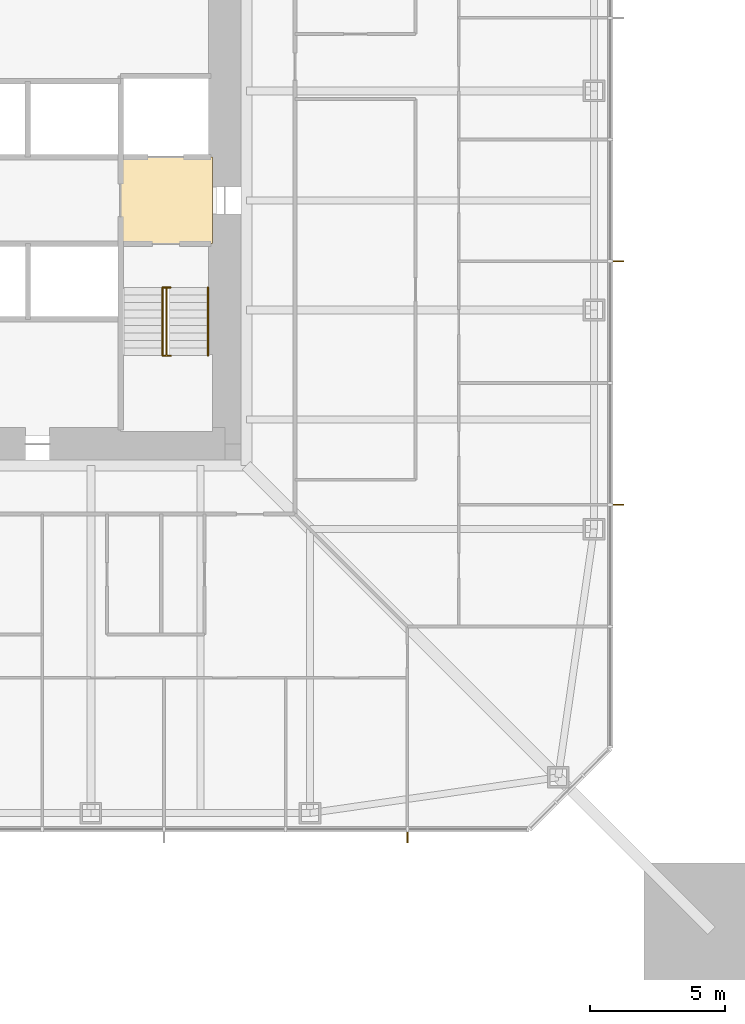
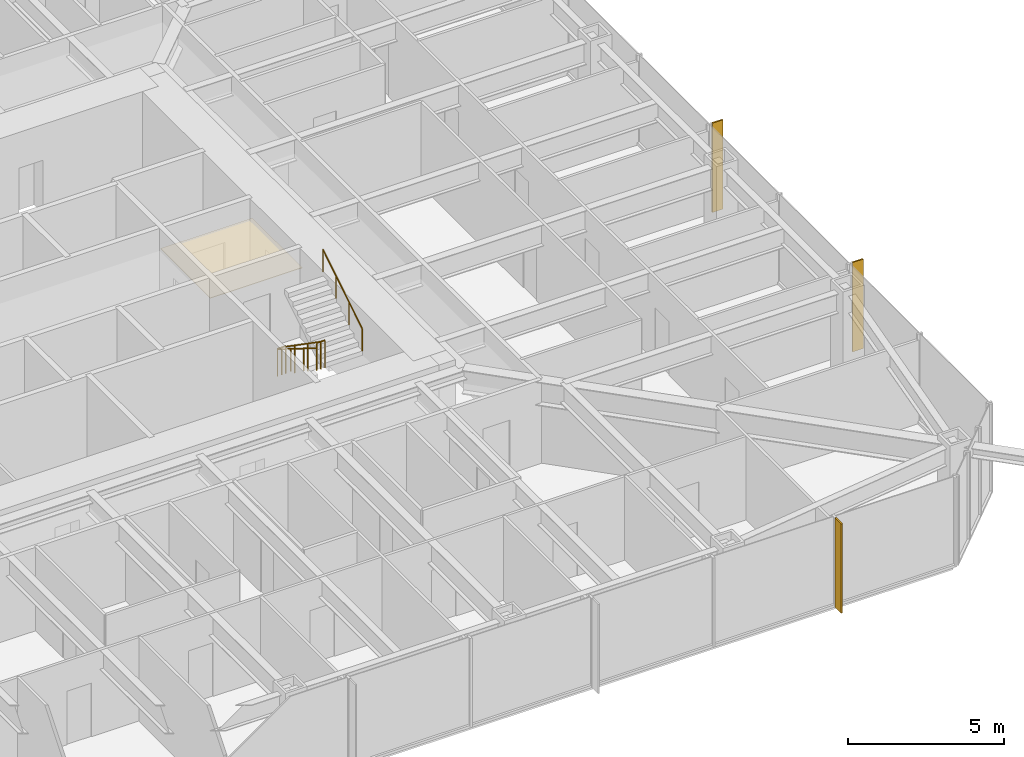
# One storey, part 24 of 26: 3 railings, 3 shading devices, 1 covering.
"""IFC4 building model written with IfcOpenShell, lengths in metres."""

from ifc_helpers import new_model, si_unit, direction, frame, origin, origin_2d, place, context, subcontext, project, spatial, polyline, rectangle, circle, outline, extrude, material, layer, layer_set, constituent, constituent_set, type_object, element, save


model = new_model("IFC4")

# Units and contexts
model_context = context("Model", 3, precision=1e-05, world=origin(), true_north=direction((0.0, 1.0)))
body_context = subcontext(model_context, "Body", "Model", "MODEL_VIEW")
ifc_project = project(units=[si_unit("LENGTHUNIT", "METRE"), si_unit("AREAUNIT", "SQUARE_METRE"), si_unit("VOLUMEUNIT", "CUBIC_METRE"), si_unit("PLANEANGLEUNIT", "RADIAN"), si_unit("MASSUNIT", "GRAM", prefix="KILO")], contexts=[model_context])

# Site, building, storey
site_placement = place(None, origin())
site = spatial("IfcSite", under=ifc_project, at=site_placement, CompositionType="ELEMENT")
building_placement = place(site_placement, origin())
building = spatial("IfcBuilding", under=site, at=building_placement, Name="Iwan Alto Co-Living Towers", CompositionType="ELEMENT")
storey_placement = place(building_placement, frame((0.0, 0.0, 57.0)))
storey = spatial("IfcBuildingStorey", under=building, at=storey_placement, Name="L15", CompositionType="ELEMENT", Elevation=57.0)

# Covering
ifc_material_1 = material(Name="Mineral fibre acoustic tiles on steel grid", Category="steel")
ifc_layer_1 = layer(ifc_material_1, 0.02001953125)
ifc_layer_set_1 = layer_set([ifc_layer_1], Name="ACOUSTIC TILE CEILING 20")
covering_type = type_object("IfcCoveringType", Name="ACOUSTIC TILE CEILING 20", PredefinedType="CEILING", material=ifc_layer_set_1)
covering_placement = place(storey_placement, frame((0.0, 0.0, 2.60009765625)))
element("IfcCovering", 1, at=covering_placement, inside=storey, type_object=covering_type, Name="Ceiling Firefighting lobby L15", PredefinedType="CEILING", context=body_context, shape_type="SweptSolid", body=[
    extrude(outline(polyline([(5.14990234375, -1.60009765625), (5.14990234375, 1.60009765625), (8.550048828125, 1.60009765625), (8.550048828125, -1.60009765625), (5.14990234375, -1.60009765625)])), origin(), (0.0, 0.0, 1.0), 0.02001953125),
])

# Shading devices
ifc_material_2 = material(Name="Aluminium 6063-T6 bronze anodised", Category="aluminium")
ifc_layer_2 = layer(ifc_material_2, 0.050048828125)
ifc_layer_set_2 = layer_set([ifc_layer_2], Name="BRONZE FIN 50X400")
shading_device_type = type_object("IfcShadingDeviceType", Name="BRONZE FIN 50X400", PredefinedType="USERDEFINED", material=ifc_layer_set_2)
for number, where, z_axis, x_axis, name in (
    (2, (15.75, -23.550048828125, 0.0), (0.0, 0.0, 1.0), (1.0, 0.0, 0.0), "Bronze fin L15"),
    (3, (23.550048828125, -11.25, 0.0), (0.0, 0.0, 1.0), (0.0, 1.0, 0.0), "Bronze fin L15"),
    (4, (23.550048828125, -2.25, 0.0), (0.0, 0.0, 1.0), (0.0, 1.0, 0.0), "Bronze fin L15"),
):
    element("IfcShadingDevice", number, at=place(storey_placement, frame(where, z_axis=z_axis, x_axis=x_axis)), inside=storey, type_object=shading_device_type, Name=name, ObjectType="LOUVER", PredefinedType="USERDEFINED", context=body_context, shape_type="SweptSolid", body=[
        extrude(rectangle(XDim=0.050048828125, YDim=0.39990234375, at=origin_2d()), origin(), (0.0, 0.0, 1.0), 3.5),
    ])

# Railings
ifc_material_3 = material(Name="Steel ASTM A500 Gr C", Category="steel")
ifc_constituent_1 = constituent(ifc_material_3, Name="Rails and posts", Category="Framing")
ifc_material_4 = material(Name="Steel ASTM A36", Category="steel")
ifc_constituent_2 = constituent(ifc_material_4, Name="Bar infill", Category="Infill")
ifc_constituent_set = constituent_set(constituents=[ifc_constituent_1, ifc_constituent_2], Name="STAIR GUARD 1100")
railing_type_1 = type_object("IfcRailingType", Name="STAIR GUARD 1100", PredefinedType="GUARDRAIL", material=ifc_constituent_set)
railing_1_placement = place(storey_placement, frame((6.85009765625, -3.219970703125, 0.0)))
element("IfcRailing", 5, at=railing_1_placement, inside=storey, type_object=railing_type_1, Name="Stair T1-S2 well guard L15", PredefinedType="GUARDRAIL", context=body_context, shape_type="SweptSolid", body=[
    extrude(circle(Radius=0.02392578125, at=origin_2d()), frame((0.0, 0.0, 1.076171875), z_axis=(0.0, -0.821372036852, 0.570392826987), x_axis=(1.0, 0.0, 0.0)), (0.0, 0.0, 1.0), 3.068115234375),
    extrude(circle(Radius=0.02392578125, at=origin_2d()), frame((-0.150146484375, 0.0, 1.076171875), z_axis=(1.0, 0.0, 0.0), x_axis=(0.0, 1.0, 0.0)), (0.0, 0.0, 1.0), 0.300048828125),
    extrude(circle(Radius=0.02392578125, at=origin_2d()), frame((-0.150146484375, -2.52001953125, 2.826171875), z_axis=(1.0, 0.0, 0.0), x_axis=(0.0, 1.0, 0.0)), (0.0, 0.0, 1.0), 0.300048828125),
    extrude(circle(Radius=0.02099609375, at=origin_2d()), origin(), (0.0, 0.0, 1.0), 1.052001953125),
    extrude(circle(Radius=0.02099609375, at=origin_2d()), frame((0.0, -0.840087890625, 0.583251953125)), (0.0, 0.0, 1.0), 1.052001953125),
    extrude(circle(Radius=0.02099609375, at=origin_2d()), frame((0.0, -1.679931640625, 1.166748046875)), (0.0, 0.0, 1.0), 1.052001953125),
    extrude(circle(Radius=0.02099609375, at=origin_2d()), frame((0.0, -2.52001953125, 1.75)), (0.0, 0.0, 1.0), 1.052001953125),
    extrude(circle(Radius=0.02099609375, at=origin_2d()), frame((-0.150146484375, 0.0, 0.0)), (0.0, 0.0, 1.0), 1.052001953125),
    extrude(circle(Radius=0.02099609375, at=origin_2d()), frame((0.14990234375, 0.0, 0.0)), (0.0, 0.0, 1.0), 1.052001953125),
    extrude(circle(Radius=0.02099609375, at=origin_2d()), frame((-0.150146484375, -2.52001953125, 1.75)), (0.0, 0.0, 1.0), 1.052001953125),
    extrude(circle(Radius=0.02099609375, at=origin_2d()), frame((0.14990234375, -2.52001953125, 1.75)), (0.0, 0.0, 1.0), 1.052001953125),
])
ifc_material_5 = material(Name="Steel ASTM A500 Gr C", Category="steel")
railing_type_2 = type_object("IfcRailingType", Name="STAIR HANDRAIL 900", PredefinedType="HANDRAIL", material=ifc_material_5)
railing_2_placement = place(storey_placement, frame((6.699951171875, -3.219970703125, 0.175048828125)))
element("IfcRailing", 6, at=railing_2_placement, inside=storey, type_object=railing_type_2, Name="Stair T1-S2 handrail 1 L15", PredefinedType="HANDRAIL", context=body_context, shape_type="SweptSolid", body=[
    extrude(circle(Radius=0.02392578125, at=origin_2d()), frame((0.0, 0.0, 0.8759765625), z_axis=(0.0, -0.848007534815, 0.529984170421), x_axis=(1.0, 0.0, 0.0)), (0.0, 0.0, 1.0), 2.9716796875),
    extrude(circle(Radius=0.02099609375, at=origin_2d()), origin(), (0.0, 0.0, 1.0), 0.851806640625),
    extrude(circle(Radius=0.02099609375, at=origin_2d()), frame((0.0, -0.840087890625, 0.52490234375)), (0.0, 0.0, 1.0), 0.851806640625),
    extrude(circle(Radius=0.02099609375, at=origin_2d()), frame((0.0, -1.679931640625, 1.050048828125)), (0.0, 0.0, 1.0), 0.851806640625),
    extrude(circle(Radius=0.02099609375, at=origin_2d()), frame((0.0, -2.52001953125, 1.574951171875)), (0.0, 0.0, 1.0), 0.851806640625),
])
railing_3_placement = place(storey_placement, frame((8.3798828125, -5.739990234375, 1.925048828125)))
element("IfcRailing", 7, at=railing_3_placement, inside=storey, type_object=railing_type_2, Name="Stair T1-S2 handrail 2 L15", PredefinedType="HANDRAIL", context=body_context, shape_type="SweptSolid", body=[
    extrude(circle(Radius=0.02392578125, at=origin_2d()), frame((0.0, 0.0, 0.8759765625), z_axis=(0.0, 0.848007534815, 0.529984170421), x_axis=(-1.0, 0.0, 0.0)), (0.0, 0.0, 1.0), 2.9716796875),
    extrude(circle(Radius=0.02099609375, at=origin_2d()), origin(), (0.0, 0.0, 1.0), 0.851806640625),
    extrude(circle(Radius=0.02099609375, at=origin_2d()), frame((0.0, 0.840087890625, 0.52490234375)), (0.0, 0.0, 1.0), 0.851806640625),
    extrude(circle(Radius=0.02099609375, at=origin_2d()), frame((0.0, 1.679931640625, 1.050048828125)), (0.0, 0.0, 1.0), 0.851806640625),
    extrude(circle(Radius=0.02099609375, at=origin_2d()), frame((0.0, 2.52001953125, 1.574951171875)), (0.0, 0.0, 1.0), 0.851806640625),
])

save(model, "model.ifc")
